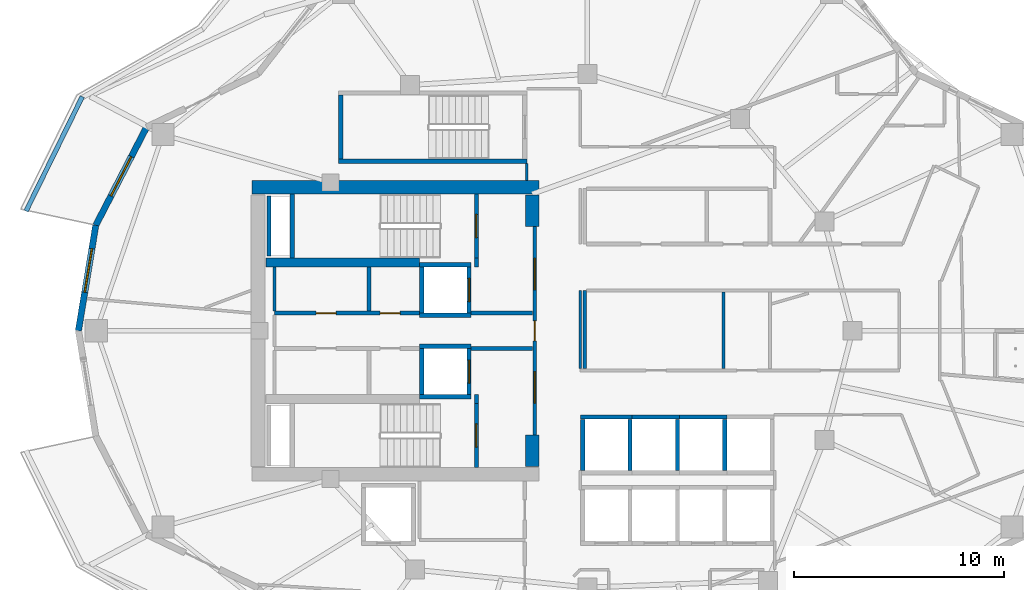
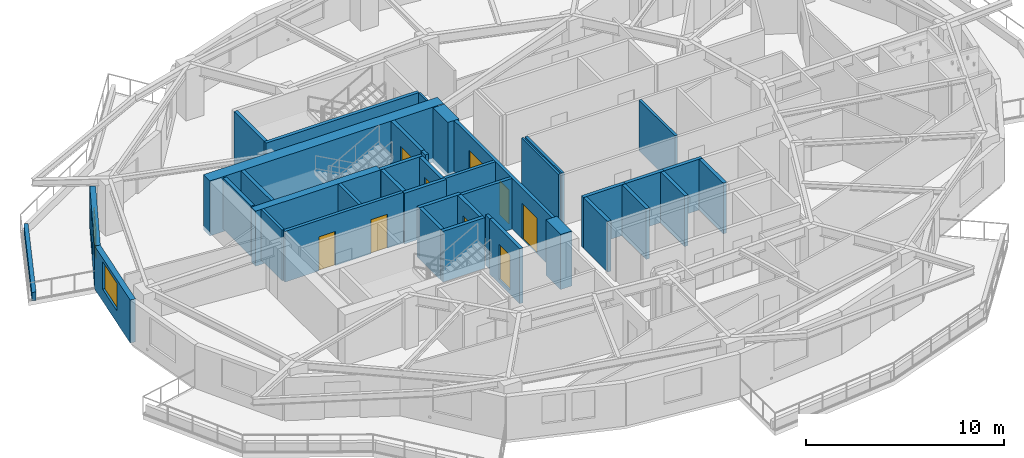
# One storey, part 4 of 14: 40 walls, 9 doors, 2 windows, 11 openings.
"""IFC4 building model written with IfcOpenShell, lengths in metres."""

from ifc_helpers import new_model, si_unit, direction, frame, frame_2d, origin, place, context, subcontext, project, spatial, rectangle, extrude, material, layer, layer_set, type_object, element, fill, save


model = new_model("IFC4")

# Units and contexts
model_context = context("Model", 3, precision=1e-05, world=origin(), true_north=direction((0.0, 1.0)))
body_context = subcontext(model_context, "Body", "Model", "MODEL_VIEW")
ifc_project = project(units=[si_unit("LENGTHUNIT", "METRE"), si_unit("AREAUNIT", "SQUARE_METRE"), si_unit("VOLUMEUNIT", "CUBIC_METRE"), si_unit("PLANEANGLEUNIT", "RADIAN"), si_unit("MASSUNIT", "GRAM", prefix="KILO")], contexts=[model_context])

# Site, building, storey
site_placement = place(None, origin())
site = spatial("IfcSite", under=ifc_project, at=site_placement, CompositionType="ELEMENT")
building_placement = place(site_placement, origin())
building = spatial("IfcBuilding", under=site, at=building_placement, Name="Kolvaren Gate Tower and Convention Centre", CompositionType="ELEMENT")
storey_placement = place(building_placement, frame((0.0, 0.0, 132.5)))
storey = spatial("IfcBuildingStorey", under=building, at=storey_placement, Name="L33", CompositionType="ELEMENT", Elevation=132.5)

# Walls
ifc_material_1 = material(Name="Autoclaved Aerated Masonry Blockwork Class 4 (4.0 MPa)", Category="masonry")
ifc_layer_1 = layer(ifc_material_1, 0.179931640625)
ifc_layer_set_1 = layer_set([ifc_layer_1], Name="Autoclaved Aerated Masonry Blockwork Class 4 (4.0 MPa)")
wall_type_1 = type_object("IfcWallType", Name="ARCH-WL-COMP-180", PredefinedType="SOLIDWALL", material=ifc_layer_set_1)
for number, where, z_axis, x_axis, name in (
    (1, (24.85009765625, 23.5400390625, 0.0), (0.0, 0.0, 1.0), (0.0, 1.0, 0.0), "Interior Partition WL-L33-INT-001"),
    (2, (24.85009765625, 30.0400390625, 0.0), (0.0, 0.0, 1.0), (0.0, 1.0, 0.0), "Interior Partition WL-L33-INT-002"),
):
    element("IfcWall", number, at=place(storey_placement, frame(where, z_axis=z_axis, x_axis=x_axis)), inside=storey, type_object=wall_type_1, Name=name, PredefinedType="SOLIDWALL", context=body_context, shape_type="SweptSolid", body=[
        extrude(rectangle(XDim=0.419921875, YDim=0.179931640625, at=frame_2d((0.2099609375, 0.0))), origin(), (0.0, 0.0, 1.0), 3.1298828125),
    ])

# Wall, openings, doors
wall_1_placement = place(storey_placement, frame((27.6201171875, 22.050048828125, 0.0), z_axis=(0.0, 0.0, 1.0), x_axis=(0.0, 1.0, 0.0)))
wall_1 = element("IfcWall", 3, at=wall_1_placement, inside=storey, type_object=wall_type_1, Name="Interior Partition WL-L33-INT-003", PredefinedType="SOLIDWALL", context=body_context, shape_type="SweptSolid", body=[
    extrude(rectangle(XDim=9.89990234375, YDim=0.179931640625, at=frame_2d((4.949951171875, 0.0))), origin(), (0.0, 0.0, 1.0), 3.1298828125),
])
opening_1_placement = place(wall_1_placement, frame((4.47509765625, 0.0, 0.0)))
opening_1 = element("IfcOpeningElement", 4, at=opening_1_placement, cuts=wall_1, Name="Opening DR-01", PredefinedType="OPENING", context=body_context, shape_type="SweptSolid", body=[
    extrude(rectangle(XDim=0.949951171875, YDim=2.10009765625, at=frame_2d((0.47509765625, 1.050048828125))), frame((0.0, 0.099853515625, 0.0), z_axis=(0.0, -1.0, 0.0), x_axis=(1.0, 0.0, 0.0)), (0.0, 0.0, 1.0), 0.199951171875),
])
opening_2_placement = place(wall_1_placement, frame((6.889892578125, 0.0, 0.0)))
opening_2 = element("IfcOpeningElement", 5, at=opening_2_placement, cuts=wall_1, Name="Opening DL-01", PredefinedType="OPENING", context=body_context, shape_type="SweptSolid", body=[
    extrude(rectangle(XDim=1.5, YDim=2.199951171875, at=frame_2d((0.75, 1.10009765625))), frame((0.0, 0.099853515625, 0.0), z_axis=(0.0, -1.0, 0.0), x_axis=(1.0, 0.0, 0.0)), (0.0, 0.0, 1.0), 0.199951171875),
])
opening_3_placement = place(wall_1_placement, frame((1.510009765625, 0.0, 0.0)))
opening_3 = element("IfcOpeningElement", 6, at=opening_3_placement, cuts=wall_1, Name="Opening DL-01", PredefinedType="OPENING", context=body_context, shape_type="SweptSolid", body=[
    extrude(rectangle(XDim=1.5, YDim=2.199951171875, at=frame_2d((0.75, 1.10009765625))), frame((0.0, 0.099853515625, 0.0), z_axis=(0.0, -1.0, 0.0), x_axis=(1.0, 0.0, 0.0)), (0.0, 0.0, 1.0), 0.199951171875),
])
ifc_material_2 = material(Name="Painted Architectural Steelwork ASTM A500 Grade C 345 MPa", Category="steel")
door_type_1 = type_object("IfcDoorType", Name="ARCH-DR-LOBBY-1500", OperationType="DOUBLE_DOOR_SINGLE_SWING", PredefinedType="DOOR", material=ifc_material_2)
door_1_placement = place(opening_2_placement, origin())
door_1 = element("IfcDoor", 7, at=door_1_placement, inside=storey, type_object=door_type_1, Name="North Firefighting Stair and Lift Lobby Door", OperationType="DOUBLE_DOOR_SINGLE_SWING", OverallHeight=2.199951171875, OverallWidth=1.5, PredefinedType="DOOR", context=body_context, shape_type="SweptSolid", body=[
    extrude(rectangle(XDim=1.5, YDim=2.199951171875, at=frame_2d((0.75, 1.10009765625))), frame((0.0, 0.02490234375, 0.0), z_axis=(0.0, -1.0, 0.0), x_axis=(1.0, 0.0, 0.0)), (0.0, 0.0, 1.0), 0.050048828125),
])
fill(opening_2, door_1)
door_2_placement = place(opening_3_placement, origin())
door_2 = element("IfcDoor", 8, at=door_2_placement, inside=storey, type_object=door_type_1, Name="South Firefighting Stair and Lift Lobby Door", OperationType="DOUBLE_DOOR_SINGLE_SWING", OverallHeight=2.199951171875, OverallWidth=1.5, PredefinedType="DOOR", context=body_context, shape_type="SweptSolid", body=[
    extrude(rectangle(XDim=1.5, YDim=2.199951171875, at=frame_2d((0.75, 1.10009765625))), frame((0.0, 0.02490234375, 0.0), z_axis=(0.0, -1.0, 0.0), x_axis=(1.0, 0.0, 0.0)), (0.0, 0.0, 1.0), 0.050048828125),
])
fill(opening_3, door_2)
door_type_2 = type_object("IfcDoorType", Name="ARCH-DR-RISER-950", OperationType="SINGLE_SWING_RIGHT", PredefinedType="DOOR", material=ifc_material_2)
door_3_placement = place(opening_1_placement, origin())
door_3 = element("IfcDoor", 9, at=door_3_placement, inside=storey, type_object=door_type_2, Name="Central MEP Service Corridor Door", OperationType="SINGLE_SWING_LEFT", OverallHeight=2.10009765625, OverallWidth=0.949951171875, PredefinedType="DOOR", context=body_context, shape_type="SweptSolid", body=[
    extrude(rectangle(XDim=0.949951171875, YDim=2.10009765625, at=frame_2d((0.47509765625, 1.050048828125))), frame((0.0, 0.02490234375, 0.0), z_axis=(0.0, -1.0, 0.0), x_axis=(1.0, 0.0, 0.0)), (0.0, 0.0, 1.0), 0.050048828125),
])
fill(opening_1, door_3)

wall_2_placement = place(storey_placement, frame((15.25, 27.840087890625, 0.0), z_axis=(0.0, 0.0, 1.0), x_axis=(1.0, 0.0, 0.0)))
wall_2 = element("IfcWall", 10, at=wall_2_placement, inside=storey, type_object=wall_type_1, Name="Interior Partition WL-L33-INT-004", PredefinedType="SOLIDWALL", context=body_context, shape_type="SweptSolid", body=[
    extrude(rectangle(XDim=6.89990234375, YDim=0.179931640625, at=frame_2d((3.449951171875, 0.0))), origin(), (0.0, 0.0, 1.0), 3.1298828125),
])
opening_4_placement = place(wall_2_placement, frame((5.02001953125, 0.0, 0.0)))
opening_4 = element("IfcOpeningElement", 11, at=opening_4_placement, cuts=wall_2, Name="Opening DR-01", PredefinedType="OPENING", context=body_context, shape_type="SweptSolid", body=[
    extrude(rectangle(XDim=0.949951171875, YDim=2.10009765625, at=frame_2d((0.47509765625, 1.050048828125))), frame((0.0, 0.099853515625, 0.0), z_axis=(0.0, -1.0, 0.0), x_axis=(1.0, 0.0, 0.0)), (0.0, 0.0, 1.0), 0.199951171875),
])
opening_5_placement = place(wall_2_placement, frame((1.97998046875, 0.0, 0.0)))
opening_5 = element("IfcOpeningElement", 12, at=opening_5_placement, cuts=wall_2, Name="Opening DR-01", PredefinedType="OPENING", context=body_context, shape_type="SweptSolid", body=[
    extrude(rectangle(XDim=0.949951171875, YDim=2.10009765625, at=frame_2d((0.47509765625, 1.050048828125))), frame((0.0, 0.099853515625, 0.0), z_axis=(0.0, -1.0, 0.0), x_axis=(1.0, 0.0, 0.0)), (0.0, 0.0, 1.0), 0.199951171875),
])
door_4_placement = place(opening_4_placement, origin())
door_4 = element("IfcDoor", 13, at=door_4_placement, inside=storey, type_object=door_type_2, Name="Electrical Switchgear Closet Door", OperationType="SINGLE_SWING_RIGHT", OverallHeight=2.10009765625, OverallWidth=0.949951171875, PredefinedType="DOOR", context=body_context, shape_type="SweptSolid", body=[
    extrude(rectangle(XDim=0.949951171875, YDim=2.10009765625, at=frame_2d((0.47509765625, 1.050048828125))), frame((0.0, 0.02490234375, 0.0), z_axis=(0.0, -1.0, 0.0), x_axis=(1.0, 0.0, 0.0)), (0.0, 0.0, 1.0), 0.050048828125),
])
fill(opening_4, door_4)
door_5_placement = place(opening_5_placement, origin())
door_5 = element("IfcDoor", 14, at=door_5_placement, inside=storey, type_object=door_type_2, Name="Staff Powder Washroom Door", OperationType="SINGLE_SWING_RIGHT", OverallHeight=2.10009765625, OverallWidth=0.949951171875, PredefinedType="DOOR", context=body_context, shape_type="SweptSolid", body=[
    extrude(rectangle(XDim=0.949951171875, YDim=2.10009765625, at=frame_2d((0.47509765625, 1.050048828125))), frame((0.0, 0.02490234375, 0.0), z_axis=(0.0, -1.0, 0.0), x_axis=(1.0, 0.0, 0.0)), (0.0, 0.0, 1.0), 0.050048828125),
])
fill(opening_5, door_5)

# Walls
for number, where, z_axis, x_axis, name in (
    (15, (24.60009765625, 27.840087890625, 0.0), (0.0, 0.0, 1.0), (1.0, 0.0, 0.0), "Interior Partition WL-L33-INT-004 (2)"),
    (16, (24.60009765625, 26.159912109375, 0.0), (0.0, 0.0, 1.0), (1.0, 0.0, 0.0), "Interior Partition WL-L33-INT-005 (2)"),
):
    element("IfcWall", number, at=place(storey_placement, frame(where, z_axis=z_axis, x_axis=x_axis)), inside=storey, type_object=wall_type_1, Name=name, PredefinedType="SOLIDWALL", context=body_context, shape_type="SweptSolid", body=[
        extrude(rectangle(XDim=2.927978515625, YDim=0.179931640625, at=frame_2d((1.4638671875, 0.0))), origin(), (0.0, 0.0, 1.0), 3.1298828125),
    ])
wall_3_placement = place(storey_placement, frame((19.75, 27.931884765625, 0.0), z_axis=(0.0, 0.0, 1.0), x_axis=(0.0, 1.0, 0.0)))
element("IfcWall", 17, at=wall_3_placement, inside=storey, type_object=wall_type_1, Name="Interior Partition WL-L33-INT-008", PredefinedType="SOLIDWALL", context=body_context, shape_type="SweptSolid", body=[
    extrude(rectangle(XDim=2.106201171875, YDim=0.179931640625, at=frame_2d((1.05322265625, 0.0))), origin(), (0.0, 0.0, 1.0), 3.1298828125),
])
ifc_material_3 = material(Name="Fire-Rated Acoustic Gypsum Stud Partition", Category="gypsum")
ifc_layer_2 = layer(ifc_material_3, 0.1201171875)
ifc_layer_set_2 = layer_set([ifc_layer_2], Name="Fire-Rated Acoustic Gypsum Stud Partition")
wall_type_2 = type_object("IfcWallType", Name="ARCH-WL-PART-120", PredefinedType="PARTITIONING", material=ifc_layer_set_2)
wall_4_placement = place(storey_placement, frame((27.25, 34.152099609375, 0.0), z_axis=(0.0, 0.0, 1.0), x_axis=(0.0, 1.0, 0.0)))
element("IfcWall", 18, at=wall_4_placement, inside=storey, type_object=wall_type_2, Name="Interior Partition WL-L33-INT-028", PredefinedType="PARTITIONING", context=body_context, shape_type="SweptSolid", body=[
    extrude(rectangle(XDim=0.805908203125, YDim=0.1201171875, at=frame_2d((0.40283203125, 0.0))), origin(), (0.0, 0.0, 1.0), 3.1298828125),
])
wall_5_placement = place(storey_placement, frame((29.780029296875, 25.197021484375, 0.0), z_axis=(0.0, 0.0, 1.0), x_axis=(0.0, 1.0, 0.0)))
element("IfcWall", 19, at=wall_5_placement, inside=storey, type_object=wall_type_2, Name="Interior Partition WL-L33-INT-031", PredefinedType="PARTITIONING", context=body_context, shape_type="SweptSolid", body=[
    extrude(rectangle(XDim=3.722900390625, YDim=0.1201171875, at=frame_2d((1.861328125, 0.0))), origin(), (0.0, 0.0, 1.0), 3.1298828125),
])
ifc_material_4 = material(Name="Piedmont Cream Honed Limestone Cladding", Category="masonry")
ifc_layer_3 = layer(ifc_material_4, 0.219970703125)
ifc_layer_set_3 = layer_set([ifc_layer_3], Name="Piedmont Cream Honed Limestone Cladding")
wall_type_3 = type_object("IfcWallType", Name="ARCH-WL-PLANTER-220", PredefinedType="PARAPET", material=ifc_layer_set_3)
wall_6_placement = place(storey_placement, frame((3.44873046875, 32.68701171875, 0.0), z_axis=(0.0, 0.0, 1.0), x_axis=(0.441269631716, 0.897374566235, 0.0)))
element("IfcWall", 20, at=wall_6_placement, inside=storey, type_object=wall_type_3, Name="Vertical-Forest Balcony Stone Planter Kerb PK-L33-1.3", PredefinedType="PARAPET", context=body_context, shape_type="SweptSolid", body=[
    extrude(rectangle(XDim=6.05615234375, YDim=0.219970703125, at=frame_2d((3.028076171875, 0.0))), origin(), (0.0, 0.0, 1.0), 0.52001953125),
])
ifc_layer_4 = layer(ifc_material_1, 0.199951171875)
ifc_layer_set_4 = layer_set([ifc_layer_4], Name="Autoclaved Aerated Masonry Blockwork Class 4 (4.0 MPa)")
wall_type_4 = type_object("IfcWallType", Name="ARCH-WL-SHAFT-200", PredefinedType="SOLIDWALL", material=ifc_layer_set_4)
for number, where, z_axis, x_axis, name in (
    (21, (22.14990234375, 30.139892578125, 0.0), (0.0, 0.0, 1.0), (1.0, 0.0, 0.0), "Elevator FF-01 L33 Fire Shaft Wall N"),
    (22, (22.14990234375, 27.739990234375, 0.0), (0.0, 0.0, 1.0), (1.0, 0.0, 0.0), "Elevator FF-01 L33 Fire Shaft Wall S"),
):
    element("IfcWall", number, at=place(storey_placement, frame(where, z_axis=z_axis, x_axis=x_axis)), inside=storey, type_object=wall_type_4, Name=name, PredefinedType="SOLIDWALL", context=body_context, shape_type="SweptSolid", body=[
        extrude(rectangle(XDim=2.4501953125, YDim=0.199951171875, at=frame_2d((1.22509765625, 0.0))), origin(), (0.0, 0.0, 1.0), 3.1298828125),
    ])
wall_7_placement = place(storey_placement, frame((22.25, 27.85009765625, 0.0), z_axis=(0.0, 0.0, 1.0), x_axis=(0.0, 1.0, 0.0)))
element("IfcWall", 23, at=wall_7_placement, inside=storey, type_object=wall_type_4, Name="Elevator FF-01 L33 Fire Shaft Wall W", PredefinedType="SOLIDWALL", context=body_context, shape_type="SweptSolid", body=[
    extrude(rectangle(XDim=2.179931640625, YDim=0.199951171875, at=frame_2d((1.08984375, 0.0))), origin(), (0.0, 0.0, 1.0), 3.1298828125),
])

# Wall, opening, door
wall_8_placement = place(storey_placement, frame((24.5, 27.85009765625, 0.0), z_axis=(0.0, 0.0, 1.0), x_axis=(0.0, 1.0, 0.0)))
wall_8 = element("IfcWall", 24, at=wall_8_placement, inside=storey, type_object=wall_type_4, Name="Elevator FF-01 L33 Fire Shaft Wall E", PredefinedType="SOLIDWALL", context=body_context, shape_type="SweptSolid", body=[
    extrude(rectangle(XDim=2.179931640625, YDim=0.199951171875, at=frame_2d((1.08984375, 0.0))), origin(), (0.0, 0.0, 1.0), 3.1298828125),
])
opening_6_placement = place(wall_8_placement, frame((0.5400390625, 0.0, 0.0)))
opening_6 = element("IfcOpeningElement", 25, at=opening_6_placement, cuts=wall_8, Name="Opening LD", PredefinedType="OPENING", context=body_context, shape_type="SweptSolid", body=[
    extrude(rectangle(XDim=1.10009765625, YDim=2.199951171875, at=frame_2d((0.550048828125, 1.10009765625))), frame((0.0, 0.10986328125, 0.0), z_axis=(0.0, -1.0, 0.0), x_axis=(1.0, 0.0, 0.0)), (0.0, 0.0, 1.0), 0.219970703125),
])
ifc_material_5 = material(Name="Brushed Stainless Steel Grade 316L", Category="steel")
door_type_3 = type_object("IfcDoorType", Name="ARCH-DR-LIFT-1100", OperationType="SLIDING_TO_LEFT", PredefinedType="DOOR", material=ifc_material_5)
door_6_placement = place(opening_6_placement, origin())
door_6 = element("IfcDoor", 26, at=door_6_placement, inside=storey, type_object=door_type_3, Name="Elevator FF-01 L33 Sliding Landing Door", OperationType="SLIDING_TO_LEFT", OverallHeight=2.199951171875, OverallWidth=1.10009765625, PredefinedType="DOOR", context=body_context, shape_type="SweptSolid", body=[
    extrude(rectangle(XDim=1.10009765625, YDim=2.199951171875, at=frame_2d((0.550048828125, 1.10009765625))), frame((0.0, 0.02490234375, 0.0), z_axis=(0.0, -1.0, 0.0), x_axis=(1.0, 0.0, 0.0)), (0.0, 0.0, 1.0), 0.050048828125),
])
fill(opening_6, door_6)

# Walls
for number, where, z_axis, x_axis, name in (
    (27, (22.14990234375, 26.260009765625, 0.0), (0.0, 0.0, 1.0), (1.0, 0.0, 0.0), "Elevator FF-02 L33 Fire Shaft Wall N"),
    (28, (22.14990234375, 23.860107421875, 0.0), (0.0, 0.0, 1.0), (1.0, 0.0, 0.0), "Elevator FF-02 L33 Fire Shaft Wall S"),
):
    element("IfcWall", number, at=place(storey_placement, frame(where, z_axis=z_axis, x_axis=x_axis)), inside=storey, type_object=wall_type_4, Name=name, PredefinedType="SOLIDWALL", context=body_context, shape_type="SweptSolid", body=[
        extrude(rectangle(XDim=2.4501953125, YDim=0.199951171875, at=frame_2d((1.22509765625, 0.0))), origin(), (0.0, 0.0, 1.0), 3.1298828125),
    ])
wall_9_placement = place(storey_placement, frame((22.25, 23.969970703125, 0.0), z_axis=(0.0, 0.0, 1.0), x_axis=(0.0, 1.0, 0.0)))
element("IfcWall", 29, at=wall_9_placement, inside=storey, type_object=wall_type_4, Name="Elevator FF-02 L33 Fire Shaft Wall W", PredefinedType="SOLIDWALL", context=body_context, shape_type="SweptSolid", body=[
    extrude(rectangle(XDim=2.179931640625, YDim=0.199951171875, at=frame_2d((1.08984375, 0.0))), origin(), (0.0, 0.0, 1.0), 3.1298828125),
])

# Wall, opening, door
wall_10_placement = place(storey_placement, frame((24.5, 23.969970703125, 0.0), z_axis=(0.0, 0.0, 1.0), x_axis=(0.0, 1.0, 0.0)))
wall_10 = element("IfcWall", 30, at=wall_10_placement, inside=storey, type_object=wall_type_4, Name="Elevator FF-02 L33 Fire Shaft Wall E", PredefinedType="SOLIDWALL", context=body_context, shape_type="SweptSolid", body=[
    extrude(rectangle(XDim=2.179931640625, YDim=0.199951171875, at=frame_2d((1.08984375, 0.0))), origin(), (0.0, 0.0, 1.0), 3.1298828125),
])
opening_7_placement = place(wall_10_placement, frame((0.5400390625, 0.0, 0.0)))
opening_7 = element("IfcOpeningElement", 31, at=opening_7_placement, cuts=wall_10, Name="Opening LD", PredefinedType="OPENING", context=body_context, shape_type="SweptSolid", body=[
    extrude(rectangle(XDim=1.10009765625, YDim=2.199951171875, at=frame_2d((0.550048828125, 1.10009765625))), frame((0.0, 0.10986328125, 0.0), z_axis=(0.0, -1.0, 0.0), x_axis=(1.0, 0.0, 0.0)), (0.0, 0.0, 1.0), 0.219970703125),
])
door_7_placement = place(opening_7_placement, origin())
door_7 = element("IfcDoor", 32, at=door_7_placement, inside=storey, type_object=door_type_3, Name="Elevator FF-02 L33 Sliding Landing Door", OperationType="SLIDING_TO_LEFT", OverallHeight=2.199951171875, OverallWidth=1.10009765625, PredefinedType="DOOR", context=body_context, shape_type="SweptSolid", body=[
    extrude(rectangle(XDim=1.10009765625, YDim=2.199951171875, at=frame_2d((0.550048828125, 1.10009765625))), frame((0.0, 0.02490234375, 0.0), z_axis=(0.0, -1.0, 0.0), x_axis=(1.0, 0.0, 0.0)), (0.0, 0.0, 1.0), 0.050048828125),
])
fill(opening_7, door_7)

# Walls
wall_11_placement = place(storey_placement, frame((29.800048828125, 22.89990234375, 0.0), z_axis=(0.0, 0.0, 1.0), x_axis=(1.0, 0.0, 0.0)))
element("IfcWall", 33, at=wall_11_placement, inside=storey, type_object=wall_type_4, Name="Elevator PL-09 L33 Fire Shaft Wall N", PredefinedType="SOLIDWALL", context=body_context, shape_type="SweptSolid", body=[
    extrude(rectangle(XDim=2.449951171875, YDim=0.199951171875, at=frame_2d((1.22509765625, 0.0))), origin(), (0.0, 0.0, 1.0), 3.1298828125),
])
for number, where, z_axis, x_axis, name in (
    (34, (29.89990234375, 20.360107421875, 0.0), (0.0, 0.0, 1.0), (0.0, 1.0, 0.0), "Elevator PL-09 L33 Fire Shaft Wall W"),
    (35, (32.14990234375, 20.360107421875, 0.0), (0.0, 0.0, 1.0), (0.0, 1.0, 0.0), "Elevator PL-09 L33 Fire Shaft Wall E"),
):
    element("IfcWall", number, at=place(storey_placement, frame(where, z_axis=z_axis, x_axis=x_axis)), inside=storey, type_object=wall_type_4, Name=name, PredefinedType="SOLIDWALL", context=body_context, shape_type="SweptSolid", body=[
        extrude(rectangle(XDim=2.429931640625, YDim=0.199951171875, at=frame_2d((1.21484375, 0.0))), origin(), (0.0, 0.0, 1.0), 3.1298828125),
    ])
wall_12_placement = place(storey_placement, frame((32.25, 22.89990234375, 0.0), z_axis=(0.0, 0.0, 1.0), x_axis=(1.0, 0.0, 0.0)))
element("IfcWall", 36, at=wall_12_placement, inside=storey, type_object=wall_type_4, Name="Elevator PL-10 L33 Fire Shaft Wall N", PredefinedType="SOLIDWALL", context=body_context, shape_type="SweptSolid", body=[
    extrude(rectangle(XDim=2.25, YDim=0.199951171875, at=frame_2d((1.125, 0.0))), origin(), (0.0, 0.0, 1.0), 3.1298828125),
])
wall_13_placement = place(storey_placement, frame((34.39990234375, 20.360107421875, 0.0), z_axis=(0.0, 0.0, 1.0), x_axis=(0.0, 1.0, 0.0)))
element("IfcWall", 37, at=wall_13_placement, inside=storey, type_object=wall_type_4, Name="Elevator PL-10 L33 Fire Shaft Wall E", PredefinedType="SOLIDWALL", context=body_context, shape_type="SweptSolid", body=[
    extrude(rectangle(XDim=2.429931640625, YDim=0.199951171875, at=frame_2d((1.21484375, 0.0))), origin(), (0.0, 0.0, 1.0), 3.1298828125),
])
wall_14_placement = place(storey_placement, frame((34.5, 22.89990234375, 0.0), z_axis=(0.0, 0.0, 1.0), x_axis=(1.0, 0.0, 0.0)))
element("IfcWall", 38, at=wall_14_placement, inside=storey, type_object=wall_type_4, Name="Elevator PL-11 L33 Fire Shaft Wall N", PredefinedType="SOLIDWALL", context=body_context, shape_type="SweptSolid", body=[
    extrude(rectangle(XDim=2.25, YDim=0.199951171875, at=frame_2d((1.125, 0.0))), origin(), (0.0, 0.0, 1.0), 3.1298828125),
])
wall_15_placement = place(storey_placement, frame((36.64990234375, 20.360107421875, 0.0), z_axis=(0.0, 0.0, 1.0), x_axis=(0.0, 1.0, 0.0)))
element("IfcWall", 39, at=wall_15_placement, inside=storey, type_object=wall_type_4, Name="Elevator PL-11 L33 Fire Shaft Wall E", PredefinedType="SOLIDWALL", context=body_context, shape_type="SweptSolid", body=[
    extrude(rectangle(XDim=2.429931640625, YDim=0.199951171875, at=frame_2d((1.21484375, 0.0))), origin(), (0.0, 0.0, 1.0), 3.1298828125),
])
wall_16_placement = place(storey_placement, frame((14.989990234375, 30.550048828125, 0.0), z_axis=(0.0, 0.0, 1.0), x_axis=(0.0, 1.0, 0.0)))
element("IfcWall", 40, at=wall_16_placement, inside=storey, type_object=wall_type_4, Name="Vertical Shaft HVR L33 EI-120 Enclosure Wall W", PredefinedType="SOLIDWALL", context=body_context, shape_type="SweptSolid", body=[
    extrude(rectangle(XDim=2.849853515625, YDim=0.199951171875, at=frame_2d((1.4248046875, 0.0))), origin(), (0.0, 0.0, 1.0), 3.1298828125),
])

# Wall, opening, window
ifc_layer_5 = layer(ifc_material_4, 0.300048828125)
ifc_layer_set_5 = layer_set([ifc_layer_5], Name="Piedmont Cream Honed Limestone Cladding")
wall_type_5 = type_object("IfcWallType", Name="ARCH-WL-STONE-300", PredefinedType="SOLIDWALL", material=ifc_layer_set_5)
wall_17_placement = place(storey_placement, frame((6.76171875, 32.008056640625, 0.0), z_axis=(0.0, 0.0, 1.0), x_axis=(0.459767899643, 0.888039119892, 0.0)))
wall_17 = element("IfcWall", 41, at=wall_17_placement, inside=storey, type_object=wall_type_5, Name="Tower L33 Honed Stone Spandrel Wall EW-10", PredefinedType="SOLIDWALL", context=body_context, shape_type="SweptSolid", body=[
    extrude(rectangle(XDim=5.25537109375, YDim=0.300048828125, at=frame_2d((2.627685546875, 0.0))), origin(), (0.0, 0.0, 1.0), 2.653076171875),
])
opening_8_placement = place(wall_17_placement, frame((1.577880859375, 0.0, 0.739990234375)))
opening_8 = element("IfcOpeningElement", 42, at=opening_8_placement, cuts=wall_17, Name="Opening W-02", PredefinedType="OPENING", context=body_context, shape_type="SweptSolid", body=[
    extrude(rectangle(XDim=2.10009765625, YDim=1.699951171875, at=frame_2d((1.050048828125, 0.85009765625))), frame((0.0, 0.159912109375, 0.0), z_axis=(0.0, -1.0, 0.0), x_axis=(1.0, 0.0, 0.0)), (0.0, 0.0, 1.0), 0.320068359375),
])
ifc_material_6 = material(Name="Low-E Triple Insulated Glazing Unit 44 mm", Category="glass")
window_type = type_object("IfcWindowType", Name="ARCH-WN-HTL-2100", PartitioningType="SINGLE_PANEL", PredefinedType="WINDOW", material=ifc_material_6)
window_1_placement = place(opening_8_placement, origin())
window_1 = element("IfcWindow", 43, at=window_1_placement, inside=storey, type_object=window_type, Name="Tower L33 Punched Stone Facade Window W-10", OverallHeight=1.699951171875, OverallWidth=2.10009765625, PartitioningType="SINGLE_PANEL", PredefinedType="WINDOW", context=body_context, shape_type="SweptSolid", body=[
    extrude(rectangle(XDim=2.10009765625, YDim=1.699951171875, at=frame_2d((1.050048828125, 0.85009765625))), frame((0.0, 0.030029296875, 0.0), z_axis=(0.0, -1.0, 0.0), x_axis=(1.0, 0.0, 0.0)), (0.0, 0.0, 1.0), 0.06005859375),
])
fill(opening_8, window_1)

wall_18_placement = place(storey_placement, frame((5.9375, 27.0, 0.0), z_axis=(0.0, 0.0, 1.0), x_axis=(0.162393944769, 0.986726003864, 0.0)))
wall_18 = element("IfcWall", 44, at=wall_18_placement, inside=storey, type_object=wall_type_5, Name="Tower L33 Honed Stone Spandrel Wall EW-11", PredefinedType="SOLIDWALL", context=body_context, shape_type="SweptSolid", body=[
    extrude(rectangle(XDim=5.075439453125, YDim=0.300048828125, at=frame_2d((2.53759765625, 0.0))), origin(), (0.0, 0.0, 1.0), 2.653076171875),
])
opening_9_placement = place(wall_18_placement, frame((1.85009765625, 0.0, 0.739990234375)))
opening_9 = element("IfcOpeningElement", 45, at=opening_9_placement, cuts=wall_18, Name="Opening W-02", PredefinedType="OPENING", context=body_context, shape_type="SweptSolid", body=[
    extrude(rectangle(XDim=2.10009765625, YDim=1.699951171875, at=frame_2d((1.050048828125, 0.85009765625))), frame((0.0, 0.159912109375, 0.0), z_axis=(0.0, -1.0, 0.0), x_axis=(1.0, 0.0, 0.0)), (0.0, 0.0, 1.0), 0.320068359375),
])
window_2_placement = place(opening_9_placement, origin())
window_2 = element("IfcWindow", 46, at=window_2_placement, inside=storey, type_object=window_type, Name="Tower L33 Punched Stone Facade Window W-11", OverallHeight=1.699951171875, OverallWidth=2.10009765625, PartitioningType="SINGLE_PANEL", PredefinedType="WINDOW", context=body_context, shape_type="SweptSolid", body=[
    extrude(rectangle(XDim=2.10009765625, YDim=1.699951171875, at=frame_2d((1.050048828125, 0.85009765625))), frame((0.0, 0.030029296875, 0.0), z_axis=(0.0, -1.0, 0.0), x_axis=(1.0, 0.0, 0.0)), (0.0, 0.0, 1.0), 0.06005859375),
])
fill(opening_9, window_2)

# Walls
ifc_material_7 = material(Name="Moisture-Resistant Cement-Board Acoustic Partition", Category="gypsum")
ifc_layer_6 = layer(ifc_material_7, 0.14990234375)
ifc_layer_set_6 = layer_set([ifc_layer_6], Name="Moisture-Resistant Cement-Board Acoustic Partition")
wall_type_6 = type_object("IfcWallType", Name="ARCH-WL-WET-150", PredefinedType="PARTITIONING", material=ifc_layer_set_6)
wall_19_placement = place(storey_placement, frame((15.25, 27.931884765625, 0.0), z_axis=(0.0, 0.0, 1.0), x_axis=(0.0, 1.0, 0.0)))
element("IfcWall", 47, at=wall_19_placement, inside=storey, type_object=wall_type_6, Name="Interior Partition WL-L33-INT-006 (3)", PredefinedType="PARTITIONING", context=body_context, shape_type="SweptSolid", body=[
    extrude(rectangle(XDim=2.106201171875, YDim=0.14990234375, at=frame_2d((1.05322265625, 0.0))), origin(), (0.0, 0.0, 1.0), 3.1298828125),
])
wall_20_placement = place(storey_placement, frame((30.0, 25.197021484375, 0.0), z_axis=(0.0, 0.0, 1.0), x_axis=(0.0, 1.0, 0.0)))
element("IfcWall", 48, at=wall_20_placement, inside=storey, type_object=wall_type_6, Name="Interior Partition WL-L33-INT-013", PredefinedType="PARTITIONING", context=body_context, shape_type="SweptSolid", body=[
    extrude(rectangle(XDim=3.722900390625, YDim=0.14990234375, at=frame_2d((1.861328125, 0.0))), origin(), (0.0, 0.0, 1.0), 3.1298828125),
])
wall_21_placement = place(storey_placement, frame((36.60009765625, 25.197021484375, 0.0), z_axis=(0.0, 0.0, 1.0), x_axis=(0.0, 1.0, 0.0)))
element("IfcWall", 49, at=wall_21_placement, inside=storey, type_object=wall_type_6, Name="Interior Partition WL-L33-INT-016", PredefinedType="PARTITIONING", context=body_context, shape_type="SweptSolid", body=[
    extrude(rectangle(XDim=3.64599609375, YDim=0.14990234375, at=frame_2d((1.822998046875, 0.0))), origin(), (0.0, 0.0, 1.0), 3.1298828125),
])
ifc_material_8 = material(Name="Concrete C50/60", Category="concrete")
ifc_layer_7 = layer(ifc_material_8, 0.419921875)
ifc_layer_set_7 = layer_set([ifc_layer_7], Name="Concrete C50/60")
wall_type_7 = type_object("IfcWallType", Name="STR-WL-CONV-420", PredefinedType="SHEAR", material=ifc_layer_set_7)
wall_22_placement = place(storey_placement, frame((14.85009765625, 30.25, -0.27001953125), z_axis=(0.0, 0.0, 1.0), x_axis=(1.0, 0.0, 0.0)))
element("IfcWall", 50, at=wall_22_placement, inside=storey, type_object=wall_type_7, Name="Tower L33 Offset Core Shear Wall WN", PredefinedType="SHEAR", context=body_context, shape_type="SweptSolid", body=[
    extrude(rectangle(XDim=7.2998046875, YDim=0.419921875, at=frame_2d((3.64990234375, 0.0))), origin(), (0.0, 0.0, 1.0), 3.39990234375),
])
ifc_material_9 = material(Name="Concrete C60/75", Category="concrete")
ifc_layer_8 = layer(ifc_material_9, 0.64990234375)
ifc_layer_set_8 = layer_set([ifc_layer_8], Name="Concrete C60/75")
wall_type_8 = type_object("IfcWallType", Name="STR-WL-CORE-650", PredefinedType="SHEAR", material=ifc_layer_set_8)
wall_23_placement = place(storey_placement, frame((14.175048828125, 33.824951171875, -0.27001953125), z_axis=(0.0, 0.0, 1.0), x_axis=(1.0, 0.0, 0.0)))
element("IfcWall", 51, at=wall_23_placement, inside=storey, type_object=wall_type_8, Name="Tower L33 Offset Core Shear Wall N", PredefinedType="SHEAR", context=body_context, shape_type="SweptSolid", body=[
    extrude(rectangle(XDim=13.64990234375, YDim=0.64990234375, at=frame_2d((6.824951171875, 0.0))), origin(), (0.0, 0.0, 1.0), 3.39990234375),
])
for number, where, z_axis, x_axis, name in (
    (52, (27.5, 31.949951171875, -0.27001953125), (0.0, 0.0, 1.0), (0.0, 1.0, 0.0), "Tower L33 Offset Core Shear Wall EN"),
    (53, (27.5, 20.550048828125, -0.27001953125), (0.0, 0.0, 1.0), (0.0, 1.0, 0.0), "Tower L33 Offset Core Shear Wall ES"),
):
    element("IfcWall", number, at=place(storey_placement, frame(where, z_axis=z_axis, x_axis=x_axis)), inside=storey, type_object=wall_type_8, Name=name, PredefinedType="SHEAR", context=body_context, shape_type="SweptSolid", body=[
        extrude(rectangle(XDim=1.5, YDim=0.64990234375, at=frame_2d((0.75, 0.0))), origin(), (0.0, 0.0, 1.0), 3.39990234375),
    ])

# Wall, opening, door
ifc_layer_9 = layer(ifc_material_8, 0.199951171875)
ifc_layer_set_9 = layer_set([ifc_layer_9], Name="Concrete C50/60")
wall_type_9 = type_object("IfcWallType", Name="STR-WL-SHAFT-200", PredefinedType="SHEAR", material=ifc_layer_set_9)
wall_24_placement = place(storey_placement, frame((24.85009765625, 30.4599609375, -0.27001953125), z_axis=(0.0, 0.0, 1.0), x_axis=(0.0, 1.0, 0.0)))
wall_24 = element("IfcWall", 54, at=wall_24_placement, inside=storey, type_object=wall_type_9, Name="Tower North Exit Stair ST-T1 L33 Structural Shear Enclosure Wall NEAR", PredefinedType="SHEAR", context=body_context, shape_type="SweptSolid", body=[
    extrude(rectangle(XDim=3.0380859375, YDim=0.199951171875, at=frame_2d((1.51904296875, 0.0))), origin(), (0.0, 0.0, 1.0), 3.39990234375),
])
opening_10_placement = place(wall_24_placement, frame((0.968994140625, 0.0, 0.27001953125)))
opening_10 = element("IfcOpeningElement", 55, at=opening_10_placement, cuts=wall_24, Name="Opening DS-01", PredefinedType="OPENING", context=body_context, shape_type="SweptSolid", body=[
    extrude(rectangle(XDim=1.10009765625, YDim=2.14990234375, at=frame_2d((0.550048828125, 1.074951171875))), frame((0.0, 0.10986328125, 0.0), z_axis=(0.0, -1.0, 0.0), x_axis=(1.0, 0.0, 0.0)), (0.0, 0.0, 1.0), 0.219970703125),
])
door_type_4 = type_object("IfcDoorType", Name="ARCH-DR-STAIR-1100", OperationType="SINGLE_SWING_LEFT", PredefinedType="DOOR", material=ifc_material_2)
door_8_placement = place(opening_10_placement, origin())
door_8 = element("IfcDoor", 56, at=door_8_placement, inside=storey, type_object=door_type_4, Name="Tower North Exit Stair ST-T1 L33 Fire Exit Stair Door", OperationType="SINGLE_SWING_LEFT", OverallHeight=2.14990234375, OverallWidth=1.10009765625, PredefinedType="DOOR", context=body_context, shape_type="SweptSolid", body=[
    extrude(rectangle(XDim=1.10009765625, YDim=2.14990234375, at=frame_2d((0.550048828125, 1.074951171875))), frame((0.0, 0.02490234375, 0.0), z_axis=(0.0, -1.0, 0.0), x_axis=(1.0, 0.0, 0.0)), (0.0, 0.0, 1.0), 0.050048828125),
])
fill(opening_10, door_8)

# Wall
wall_25_placement = place(storey_placement, frame((16.10009765625, 30.4619140625, -0.27001953125), z_axis=(0.0, 0.0, 1.0), x_axis=(0.0, 1.0, 0.0)))
element("IfcWall", 57, at=wall_25_placement, inside=storey, type_object=wall_type_9, Name="Tower North Exit Stair ST-T1 L33 Structural Shear Enclosure Wall FAR", PredefinedType="SHEAR", context=body_context, shape_type="SweptSolid", body=[
    extrude(rectangle(XDim=3.0361328125, YDim=0.199951171875, at=frame_2d((1.51806640625, 0.0))), origin(), (0.0, 0.0, 1.0), 3.39990234375),
])

# Wall, opening, door
wall_26_placement = place(storey_placement, frame((24.85009765625, 20.501953125, -0.27001953125), z_axis=(0.0, 0.0, 1.0), x_axis=(0.0, 1.0, 0.0)))
wall_26 = element("IfcWall", 58, at=wall_26_placement, inside=storey, type_object=wall_type_9, Name="Tower South Exit Stair ST-T2 L33 Structural Shear Enclosure Wall NEAR", PredefinedType="SHEAR", context=body_context, shape_type="SweptSolid", body=[
    extrude(rectangle(XDim=3.0380859375, YDim=0.199951171875, at=frame_2d((1.51904296875, 0.0))), origin(), (0.0, 0.0, 1.0), 3.39990234375),
])
opening_11_placement = place(wall_26_placement, frame((0.968994140625, 0.0, 0.27001953125)))
opening_11 = element("IfcOpeningElement", 59, at=opening_11_placement, cuts=wall_26, Name="Opening DS-01", PredefinedType="OPENING", context=body_context, shape_type="SweptSolid", body=[
    extrude(rectangle(XDim=1.10009765625, YDim=2.14990234375, at=frame_2d((0.550048828125, 1.074951171875))), frame((0.0, 0.10986328125, 0.0), z_axis=(0.0, -1.0, 0.0), x_axis=(1.0, 0.0, 0.0)), (0.0, 0.0, 1.0), 0.219970703125),
])
door_9_placement = place(opening_11_placement, origin())
door_9 = element("IfcDoor", 60, at=door_9_placement, inside=storey, type_object=door_type_4, Name="Tower South Exit Stair ST-T2 L33 Fire Exit Stair Door", OperationType="SINGLE_SWING_LEFT", OverallHeight=2.14990234375, OverallWidth=1.10009765625, PredefinedType="DOOR", context=body_context, shape_type="SweptSolid", body=[
    extrude(rectangle(XDim=1.10009765625, YDim=2.14990234375, at=frame_2d((0.550048828125, 1.074951171875))), frame((0.0, 0.02490234375, 0.0), z_axis=(0.0, -1.0, 0.0), x_axis=(1.0, 0.0, 0.0)), (0.0, 0.0, 1.0), 0.050048828125),
])
fill(opening_11, door_9)

# Walls
wall_27_placement = place(storey_placement, frame((18.39990234375, 35.159912109375, -0.27001953125), z_axis=(0.0, 0.0, 1.0), x_axis=(0.0, 1.0, 0.0)))
element("IfcWall", 61, at=wall_27_placement, inside=storey, type_object=wall_type_9, Name="Tower Mid-Zone Exit Stair ST-T3 L33 Structural Shear Enclosure Wall FAR", PredefinedType="SHEAR", context=body_context, shape_type="SweptSolid", body=[
    extrude(rectangle(XDim=3.0400390625, YDim=0.199951171875, at=frame_2d((1.52001953125, 0.0))), origin(), (0.0, 0.0, 1.0), 3.39990234375),
])
wall_28_placement = place(storey_placement, frame((18.300048828125, 35.06005859375, -0.27001953125), z_axis=(0.0, 0.0, 1.0), x_axis=(1.0, 0.0, 0.0)))
element("IfcWall", 62, at=wall_28_placement, inside=storey, type_object=wall_type_9, Name="Tower Mid-Zone Exit Stair ST-T3 L33 Structural Shear Enclosure Wall RGHT", PredefinedType="SHEAR", context=body_context, shape_type="SweptSolid", body=[
    extrude(rectangle(XDim=8.949951171875, YDim=0.199951171875, at=frame_2d((4.47509765625, 0.0))), origin(), (0.0, 0.0, 1.0), 3.39990234375),
])

save(model, "model.ifc")
